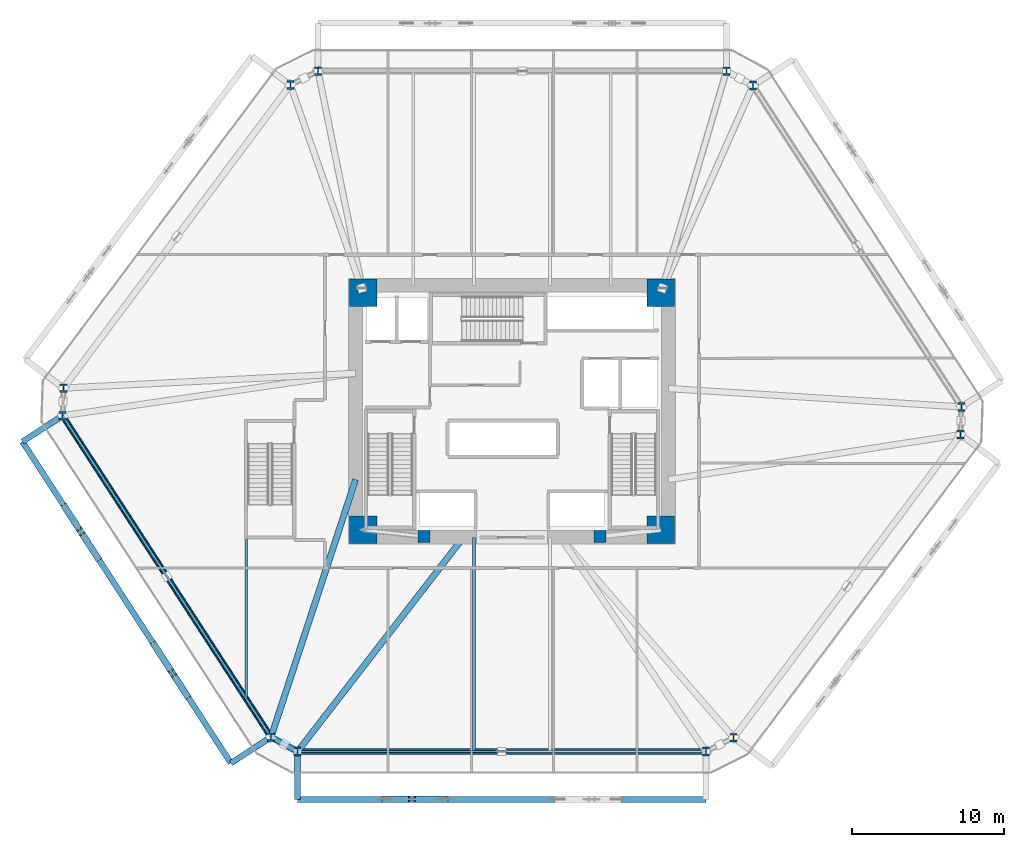
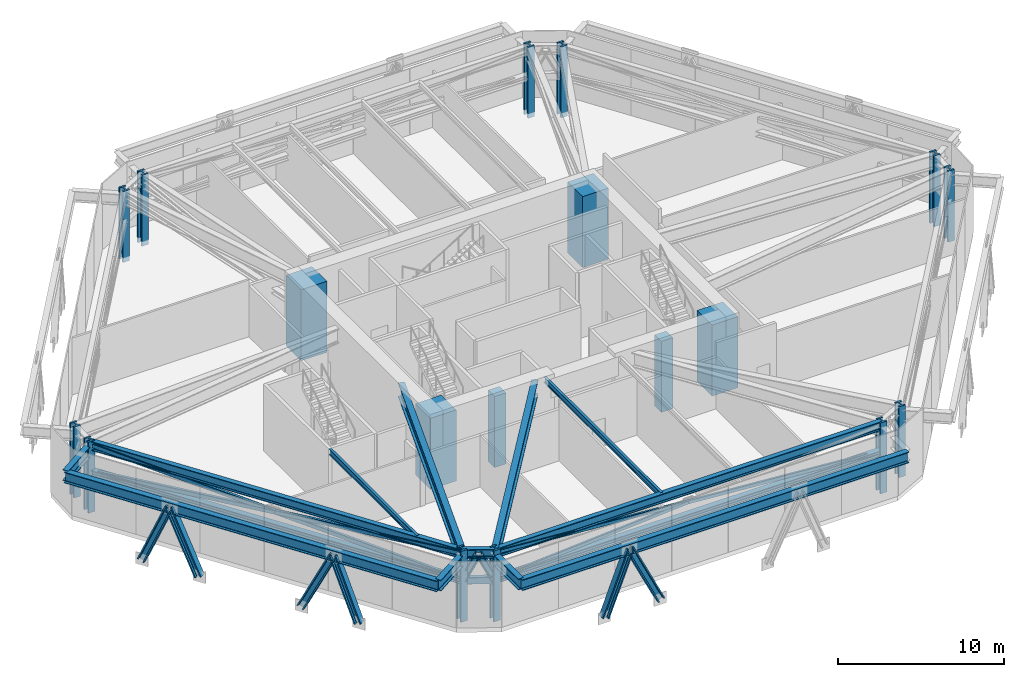
# One storey, part 1 of 16: 18 columns, 16 members, 12 beams.
"""IFC4 building model written with IfcOpenShell, lengths in metres."""

from ifc_helpers import new_model, si_unit, direction, frame, origin, origin_2d, place, context, subcontext, project, spatial, rectangle, hollow_rectangle, i_section, extrude, source, transform, mapped, material, material_profile, profile_set, type_object, type_shapes, element, save


model = new_model("IFC4")

# Units and contexts
model_context = context("Model", 3, precision=1e-05, world=origin(), true_north=direction((0.0, 1.0)))
body_context = subcontext(model_context, "Body", "Model", "MODEL_VIEW")
ifc_project = project(units=[si_unit("LENGTHUNIT", "METRE"), si_unit("AREAUNIT", "SQUARE_METRE"), si_unit("VOLUMEUNIT", "CUBIC_METRE"), si_unit("PLANEANGLEUNIT", "RADIAN"), si_unit("MASSUNIT", "GRAM", prefix="KILO")], contexts=[model_context])

# Site, building, storey
site_placement = place(None, origin())
site = spatial("IfcSite", under=ifc_project, at=site_placement, CompositionType="ELEMENT")
building_placement = place(site_placement, origin())
building = spatial("IfcBuilding", under=site, at=building_placement, Name="Durnholm Broadcast Tower", CompositionType="ELEMENT")
storey_placement = place(building_placement, frame((0.0, 0.0, 10.39990234375)))
storey = spatial("IfcBuildingStorey", under=building, at=storey_placement, Name="L02", CompositionType="ELEMENT", Elevation=10.39990234375)

# Columns
ifc_material_1 = material(Name="Concrete C70/85", Category="concrete")
ifc_material_profile_1 = material_profile(ifc_material_1, rectangle(XDim=1.800048828125, YDim=1.800048828125, at=origin_2d()), Name="RC1800X1800")
ifc_profile_set_1 = profile_set([ifc_material_profile_1], Name="Concrete C70/85")
column_type_1 = type_object("IfcColumnType", Name="COL-CC-1800", PredefinedType="COLUMN", material=ifc_profile_set_1)
shared_shape_1 = source(origin(), body_context, "Body", "SweptSolid", [
    extrude(rectangle(XDim=1.800048828125, YDim=1.800048828125, at=origin_2d()), origin(), (0.0, 0.0, 1.0), 5.22998046875),
])
type_shapes(column_type_1, [shared_shape_1])
for number, where, z_axis, x_axis, name in (
    (1, (-9.800048828125, -7.800048828125, -0.349853515625), (0.0, 0.0, 1.0), (1.0, 0.0, 0.0), "L02 core corner column 1"),
    (2, (9.800048828125, -7.800048828125, -0.349853515625), (0.0, 0.0, 1.0), (1.0, 0.0, 0.0), "L02 core corner column 2"),
    (3, (9.800048828125, 7.800048828125, -0.349853515625), (0.0, 0.0, 1.0), (1.0, 0.0, 0.0), "L02 core corner column 3"),
    (4, (-9.800048828125, 7.800048828125, -0.349853515625), (0.0, 0.0, 1.0), (1.0, 0.0, 0.0), "L02 core corner column 4"),
):
    element("IfcColumn", number, at=place(storey_placement, frame(where, z_axis=z_axis, x_axis=x_axis)), inside=storey, type_object=column_type_1, Name=name, PredefinedType="COLUMN", context=body_context, shape_type="MappedRepresentation", body=[
        mapped(shared_shape_1, transform((0.0, 0.0, 0.0), x_axis=(1.0, 0.0, 0.0), y_axis=(0.0, 1.0, 0.0), z_axis=(0.0, 0.0, 1.0), scale=1.0)),
    ])
ifc_material_profile_2 = material_profile(ifc_material_1, rectangle(XDim=0.800048828125, YDim=0.800048828125, at=origin_2d()), Name="RC800X800")
ifc_profile_set_2 = profile_set([ifc_material_profile_2], Name="Concrete C70/85")
column_type_2 = type_object("IfcColumnType", Name="COL-CP-800", PredefinedType="PILASTER", material=ifc_profile_set_2)
shared_shape_2 = source(origin(), body_context, "Body", "SweptSolid", [
    extrude(rectangle(XDim=0.800048828125, YDim=0.800048828125, at=origin_2d()), origin(), (0.0, 0.0, 1.0), 5.22998046875),
])
type_shapes(column_type_2, [shared_shape_2])
for number, where, z_axis, x_axis, name in (
    (5, (-5.800048828125, -8.25, -0.349853515625), (0.0, 0.0, 1.0), (1.0, 0.0, 0.0), "L02 core hall structural pilaster 1"),
    (6, (5.800048828125, -8.25, -0.349853515625), (0.0, 0.0, 1.0), (1.0, 0.0, 0.0), "L02 core hall structural pilaster 2"),
):
    element("IfcColumn", number, at=place(storey_placement, frame(where, z_axis=z_axis, x_axis=x_axis)), inside=storey, type_object=column_type_2, Name=name, PredefinedType="PILASTER", context=body_context, shape_type="MappedRepresentation", body=[
        mapped(shared_shape_2, transform((0.0, 0.0, 0.0), x_axis=(1.0, 0.0, 0.0), y_axis=(0.0, 1.0, 0.0), z_axis=(0.0, 0.0, 1.0), scale=1.0)),
    ])
ifc_material_2 = material(Name="Steel ASTM A913 Grade 65", Category="steel")
ifc_material_profile_3 = material_profile(ifc_material_2, i_section(OverallWidth=0.454345703125, OverallDepth=0.569091796875, WebThickness=0.077880859375, FlangeThickness=0.124755859375, FilletRadius=0.030517578125, at=origin_2d()), Name="W14X730")
ifc_profile_set_3 = profile_set([ifc_material_profile_3], Name="Steel ASTM A913 Grade 65")
column_type_3 = type_object("IfcColumnType", Name="STL-SC-W14X730", PredefinedType="COLUMN", material=ifc_profile_set_3)
shared_shape_3 = source(origin(), body_context, "Body", "SweptSolid", [
    extrude(i_section(OverallWidth=0.454345703125, OverallDepth=0.569091796875, WebThickness=0.077880859375, FlangeThickness=0.124755859375, FilletRadius=0.030517578125, at=origin_2d()), origin(), (0.0, 0.0, 1.0), 5.22998046875),
])
type_shapes(column_type_3, [shared_shape_3])
for number, where, z_axis, x_axis, name in (
    (7, (-15.866455078125, -21.45068359375, -0.349853515625), (0.0, 0.0, 1.0), (1.0, 0.0, 0.0), "L02 perimeter hexagonal tube column 01"),
    (8, (-29.590576171875, -0.28857421875, -0.349853515625), (0.0, 0.0, 1.0), (1.0, 0.0, 0.0), "L02 perimeter hexagonal tube column 02"),
    (9, (-29.529296875, 1.530517578125, -0.349853515625), (0.0, 0.0, 1.0), (1.0, 0.0, 0.0), "L02 perimeter hexagonal tube column 03"),
    (10, (-14.594482421875, 21.487548828125, -0.349853515625), (0.0, 0.0, 1.0), (1.0, 0.0, 0.0), "L02 perimeter hexagonal tube column 04"),
    (11, (-12.77197265625, 22.39990234375, -0.349853515625), (0.0, 0.0, 1.0), (1.0, 0.0, 0.0), "L02 perimeter hexagonal tube column 05"),
    (12, (14.119384765625, 22.39990234375, -0.349853515625), (0.0, 0.0, 1.0), (1.0, 0.0, 0.0), "L02 perimeter hexagonal tube column 06"),
    (13, (15.866455078125, 21.45068359375, -0.349853515625), (0.0, 0.0, 1.0), (1.0, 0.0, 0.0), "L02 perimeter hexagonal tube column 07"),
    (14, (29.590576171875, 0.28857421875, -0.349853515625), (0.0, 0.0, 1.0), (1.0, 0.0, 0.0), "L02 perimeter hexagonal tube column 08"),
    (15, (29.529296875, -1.530517578125, -0.349853515625), (0.0, 0.0, 1.0), (1.0, 0.0, 0.0), "L02 perimeter hexagonal tube column 09"),
    (16, (14.594482421875, -21.487548828125, -0.349853515625), (0.0, 0.0, 1.0), (1.0, 0.0, 0.0), "L02 perimeter hexagonal tube column 10"),
    (17, (12.77197265625, -22.39990234375, -0.349853515625), (0.0, 0.0, 1.0), (1.0, 0.0, 0.0), "L02 perimeter hexagonal tube column 11"),
    (18, (-14.119384765625, -22.39990234375, -0.349853515625), (0.0, 0.0, 1.0), (1.0, 0.0, 0.0), "L02 perimeter hexagonal tube column 12"),
):
    element("IfcColumn", number, at=place(storey_placement, frame(where, z_axis=z_axis, x_axis=x_axis)), inside=storey, type_object=column_type_3, Name=name, PredefinedType="COLUMN", context=body_context, shape_type="MappedRepresentation", body=[
        mapped(shared_shape_3, transform((0.0, 0.0, 0.0), x_axis=(1.0, 0.0, 0.0), y_axis=(0.0, 1.0, 0.0), z_axis=(0.0, 0.0, 1.0), scale=1.0)),
    ])

# Beams
ifc_material_3 = material(Name="Steel ASTM A992 Grade 50", Category="steel")
ifc_material_profile_4 = material_profile(ifc_material_3, i_section(OverallWidth=0.3330078125, OverallDepth=0.660888671875, WebThickness=0.0244140625, FlangeThickness=0.0439453125, FilletRadius=0.02783203125, at=origin_2d()), Name="W24X229")
ifc_profile_set_4 = profile_set([ifc_material_profile_4], Name="Steel ASTM A992 Grade 50")
beam_type_1 = type_object("IfcBeamType", Name="STL-SP-W24X229", PredefinedType="SPANDREL", material=ifc_profile_set_4)
shared_shape_4 = source(origin(), body_context, "Body", "SweptSolid", [
    extrude(i_section(OverallWidth=0.3330078125, OverallDepth=0.660888671875, WebThickness=0.0244140625, FlangeThickness=0.0439453125, FilletRadius=0.02783203125, at=origin_2d()), origin(), (0.0, 0.0, 1.0), 25.22265625),
])
beam_1_placement = place(storey_placement, frame((-15.866455078125, -21.45068359375, 4.53466796875), z_axis=(-0.544117081794, 0.839009297505, 0.0), x_axis=(-0.839009297505, -0.544117081794, 0.0)))
element("IfcBeam", 19, at=beam_1_placement, inside=storey, type_object=beam_type_1, Name="L02 perimeter spandrel girder 01", PredefinedType="SPANDREL", context=body_context, shape_type="MappedRepresentation", body=[
    mapped(shared_shape_4, transform((0.0, 0.0, 0.0), x_axis=(1.0, 0.0, 0.0), y_axis=(0.0, 1.0, 0.0), z_axis=(0.0, 0.0, 1.0), scale=1.0)),
])
shared_shape_5 = source(origin(), body_context, "Body", "SweptSolid", [
    extrude(i_section(OverallWidth=0.3330078125, OverallDepth=0.660888671875, WebThickness=0.0244140625, FlangeThickness=0.0439453125, FilletRadius=0.02783203125, at=origin_2d()), origin(), (0.0, 0.0, 1.0), 26.891357421875),
])
beam_2_placement = place(storey_placement, frame((12.77197265625, -22.39990234375, 4.53466796875), z_axis=(-1.0, 0.0, 0.0), x_axis=(0.0, -1.0, 0.0)))
element("IfcBeam", 20, at=beam_2_placement, inside=storey, type_object=beam_type_1, Name="L02 perimeter spandrel girder 11", PredefinedType="SPANDREL", context=body_context, shape_type="MappedRepresentation", body=[
    mapped(shared_shape_5, transform((0.0, 0.0, 0.0), x_axis=(1.0, 0.0, 0.0), y_axis=(0.0, 1.0, 0.0), z_axis=(0.0, 0.0, 1.0), scale=1.0)),
])
shared_shape_6 = source(origin(), body_context, "Body", "SweptSolid", [
    extrude(i_section(OverallWidth=0.3330078125, OverallDepth=0.660888671875, WebThickness=0.0244140625, FlangeThickness=0.0439453125, FilletRadius=0.02783203125, at=origin_2d()), origin(), (0.0, 0.0, 1.0), 1.98828125),
])
type_shapes(beam_type_1, [shared_shape_4, shared_shape_5, shared_shape_6])
beam_3_placement = place(storey_placement, frame((-14.119384765625, -22.39990234375, 4.53466796875), z_axis=(-0.878682739647, 0.477406161508, 0.0), x_axis=(-0.477406161508, -0.878682739647, 0.0)))
element("IfcBeam", 21, at=beam_3_placement, inside=storey, type_object=beam_type_1, Name="L02 perimeter spandrel girder 12", PredefinedType="SPANDREL", context=body_context, shape_type="MappedRepresentation", body=[
    mapped(shared_shape_6, transform((0.0, 0.0, 0.0), x_axis=(1.0, 0.0, 0.0), y_axis=(0.0, 1.0, 0.0), z_axis=(0.0, 0.0, 1.0), scale=1.0)),
])
ifc_material_profile_5 = material_profile(ifc_material_3, i_section(OverallWidth=0.412109375, OverallDepth=1.048095703125, WebThickness=0.033935546875, FlangeThickness=0.059814453125, FilletRadius=0.04052734375, at=origin_2d()), Name="W40X431")
ifc_profile_set_5 = profile_set([ifc_material_profile_5], Name="Steel ASTM A992 Grade 50")
beam_type_2 = type_object("IfcBeamType", Name="STL-TG-W40X431", PredefinedType="USERDEFINED", material=ifc_profile_set_5)
shared_shape_7 = source(origin(), body_context, "Body", "SweptSolid", [
    extrude(i_section(OverallWidth=0.412109375, OverallDepth=1.048095703125, WebThickness=0.033935546875, FlangeThickness=0.059814453125, FilletRadius=0.04052734375, at=origin_2d()), origin(), (0.0, 0.0, 1.0), 17.833740234375),
])
beam_4_placement = place(storey_placement, frame((-3.199951171875, -8.300048828125, 4.341064453125), z_axis=(-0.612293019064, -0.790630924519, 0.0), x_axis=(0.790630924519, -0.612293019064, 0.0)))
element("IfcBeam", 22, at=beam_4_placement, inside=storey, type_object=beam_type_2, Name="L02 radial primary floor girder 12", ObjectType="GIRDER", PredefinedType="USERDEFINED", context=body_context, shape_type="MappedRepresentation", body=[
    mapped(shared_shape_7, transform((0.0, 0.0, 0.0), x_axis=(1.0, 0.0, 0.0), y_axis=(0.0, 1.0, 0.0), z_axis=(0.0, 0.0, 1.0), scale=1.0)),
])
shared_shape_8 = source(origin(), body_context, "Body", "SweptSolid", [
    extrude(i_section(OverallWidth=0.412109375, OverallDepth=1.048095703125, WebThickness=0.033935546875, FlangeThickness=0.059814453125, FilletRadius=0.04052734375, at=origin_2d()), origin(), (0.0, 0.0, 1.0), 17.84130859375),
])
type_shapes(beam_type_2, [shared_shape_7, shared_shape_8])
beam_5_placement = place(storey_placement, frame((-10.300048828125, -4.5, 4.341064453125), z_axis=(-0.311996254667, -0.950083331647, 0.0), x_axis=(0.950083331647, -0.311996254667, 0.0)))
element("IfcBeam", 23, at=beam_5_placement, inside=storey, type_object=beam_type_2, Name="L02 radial primary floor girder 01", ObjectType="GIRDER", PredefinedType="USERDEFINED", context=body_context, shape_type="MappedRepresentation", body=[
    mapped(shared_shape_8, transform((0.0, 0.0, 0.0), x_axis=(1.0, 0.0, 0.0), y_axis=(0.0, 1.0, 0.0), z_axis=(0.0, 0.0, 1.0), scale=1.0)),
])
ifc_material_profile_6 = material_profile(ifc_material_3, i_section(OverallWidth=0.180908203125, OverallDepth=0.417236328125, WebThickness=0.010986328125, FlangeThickness=0.018310546875, FilletRadius=0.01904296875, at=origin_2d()), Name="W16X57")
ifc_profile_set_6 = profile_set([ifc_material_profile_6], Name="Steel ASTM A992 Grade 50")
beam_type_3 = type_object("IfcBeamType", Name="STL-BJ-W16X57", PredefinedType="JOIST", material=ifc_profile_set_6)
shared_shape_9 = source(origin(), body_context, "Body", "SweptSolid", [
    extrude(i_section(OverallWidth=0.180908203125, OverallDepth=0.417236328125, WebThickness=0.010986328125, FlangeThickness=0.018310546875, FilletRadius=0.01904296875, at=origin_2d()), origin(), (0.0, 0.0, 1.0), 10.581787109375),
])
beam_6_placement = place(storey_placement, frame((-17.5, -18.931884765625, 4.656494140625), z_axis=(0.0, 1.0, 0.0), x_axis=(-1.0, 0.0, 0.0)))
element("IfcBeam", 24, at=beam_6_placement, inside=storey, type_object=beam_type_3, Name="L02 secondary floor joist 2.1", PredefinedType="JOIST", context=body_context, shape_type="MappedRepresentation", body=[
    mapped(shared_shape_9, transform((0.0, 0.0, 0.0), x_axis=(1.0, 0.0, 0.0), y_axis=(0.0, 1.0, 0.0), z_axis=(0.0, 0.0, 1.0), scale=1.0)),
])
shared_shape_10 = source(origin(), body_context, "Body", "SweptSolid", [
    extrude(i_section(OverallWidth=0.180908203125, OverallDepth=0.417236328125, WebThickness=0.010986328125, FlangeThickness=0.018310546875, FilletRadius=0.01904296875, at=origin_2d()), origin(), (0.0, 0.0, 1.0), 14.099853515625),
])
type_shapes(beam_type_3, [shared_shape_9, shared_shape_10])
beam_7_placement = place(storey_placement, frame((-2.5, -22.39990234375, 4.656494140625), z_axis=(0.0, 1.0, 0.0), x_axis=(-1.0, 0.0, 0.0)))
element("IfcBeam", 25, at=beam_7_placement, inside=storey, type_object=beam_type_3, Name="L02 secondary floor joist 5.1", PredefinedType="JOIST", context=body_context, shape_type="MappedRepresentation", body=[
    mapped(shared_shape_10, transform((0.0, 0.0, 0.0), x_axis=(1.0, 0.0, 0.0), y_axis=(0.0, 1.0, 0.0), z_axis=(0.0, 0.0, 1.0), scale=1.0)),
])

# Members
ifc_material_profile_7 = material_profile(ifc_material_3, i_section(OverallWidth=0.4013671875, OverallDepth=0.3994140625, WebThickness=0.02490234375, FlangeThickness=0.03955078125, FilletRadius=0.030517578125, at=origin_2d()), Name="W14X211")
ifc_profile_set_7 = profile_set([ifc_material_profile_7], Name="Steel ASTM A992 Grade 50")
member_type_1 = type_object("IfcMemberType", Name="STL-TC-W14X211", PredefinedType="CHORD", material=ifc_profile_set_7)
shared_shape_11 = source(origin(), body_context, "Body", "SweptSolid", [
    extrude(i_section(OverallWidth=0.4013671875, OverallDepth=0.3994140625, WebThickness=0.02490234375, FlangeThickness=0.03955078125, FilletRadius=0.030517578125, at=origin_2d()), origin(), (0.0, 0.0, 1.0), 25.22265625),
])
member_1_placement = place(storey_placement, frame((-15.866455078125, -21.45068359375, 2.550048828125), z_axis=(-0.544117081794, 0.839009297505, 0.0), x_axis=(-0.839009297505, -0.544117081794, 0.0)))
element("IfcMember", 26, at=member_1_placement, inside=storey, type_object=member_type_1, Name="L02 perimeter belt-truss bottom chord 01", PredefinedType="CHORD", context=body_context, shape_type="MappedRepresentation", body=[
    mapped(shared_shape_11, transform((0.0, 0.0, 0.0), x_axis=(1.0, 0.0, 0.0), y_axis=(0.0, 1.0, 0.0), z_axis=(0.0, 0.0, 1.0), scale=1.0)),
])
ifc_material_4 = material(Name="Steel ASTM A500 Grade C", Category="steel")
ifc_material_profile_8 = material_profile(ifc_material_4, hollow_rectangle(XDim=0.203125, YDim=0.3046875, WallThickness=0.01171875, InnerFilletRadius=0.017578125, OuterFilletRadius=0.029541015625, at=origin_2d()), Name="HSS12X8X1/2")
ifc_profile_set_8 = profile_set([ifc_material_profile_8], Name="Steel ASTM A500 Grade C")
member_type_2 = type_object("IfcMemberType", Name="STL-TB-HSS12X8", PredefinedType="BRACE", material=ifc_profile_set_8)
shared_shape_12 = source(origin(), body_context, "Body", "SweptSolid", [
    extrude(hollow_rectangle(XDim=0.203125, YDim=0.3046875, WallThickness=0.01171875, InnerFilletRadius=0.017578125, OuterFilletRadius=0.029541015625, at=origin_2d()), origin(), (0.0, 0.0, 1.0), 25.30029296875),
])
member_2_placement = place(storey_placement, frame((-15.866455078125, -21.45068359375, 2.550048828125), z_axis=(-0.542448304828, 0.836436102439, 0.078259076959), x_axis=(-0.839009297505, -0.544117081794, 0.0)))
element("IfcMember", 27, at=member_2_placement, inside=storey, type_object=member_type_2, Name="L02 belt-truss continuous X-diagonal brace 01", PredefinedType="BRACE", context=body_context, shape_type="MappedRepresentation", body=[
    mapped(shared_shape_12, transform((0.0, 0.0, 0.0), x_axis=(1.0, 0.0, 0.0), y_axis=(0.0, 1.0, 0.0), z_axis=(0.0, 0.0, 1.0), scale=1.0)),
])
shared_shape_13 = source(origin(), body_context, "Body", "SweptSolid", [
    extrude(hollow_rectangle(XDim=0.203125, YDim=0.3046875, WallThickness=0.01171875, InnerFilletRadius=0.017578125, OuterFilletRadius=0.029541015625, at=origin_2d()), origin(), (0.0, 0.0, 1.0), 12.650146484375),
])
type_shapes(member_type_2, [shared_shape_12, shared_shape_13])
for number, where, z_axis, x_axis, name in (
    (28, (-29.590576171875, -0.28857421875, 2.550048828125), (0.542448304828, -0.836436102439, 0.078259076959), (0.839009297505, 0.544117081794, 0.0), "L02 belt-truss split X-diagonal segment 01.1"),
    (29, (-22.728515625, -10.86962890625, 3.5400390625), (0.542448304828, -0.836436102439, 0.078259076959), (0.839009297505, 0.544117081794, 0.0), "L02 belt-truss split X-diagonal segment 01.2"),
):
    element("IfcMember", number, at=place(storey_placement, frame(where, z_axis=z_axis, x_axis=x_axis)), inside=storey, type_object=member_type_2, Name=name, PredefinedType="BRACE", context=body_context, shape_type="MappedRepresentation", body=[
        mapped(shared_shape_13, transform((0.0, 0.0, 0.0), x_axis=(1.0, 0.0, 0.0), y_axis=(0.0, 1.0, 0.0), z_axis=(0.0, 0.0, 1.0), scale=1.0)),
    ])
shared_shape_14 = source(origin(), body_context, "Body", "SweptSolid", [
    extrude(i_section(OverallWidth=0.4013671875, OverallDepth=0.3994140625, WebThickness=0.02490234375, FlangeThickness=0.03955078125, FilletRadius=0.030517578125, at=origin_2d()), origin(), (0.0, 0.0, 1.0), 26.891357421875),
])
type_shapes(member_type_1, [shared_shape_11, shared_shape_14])
member_3_placement = place(storey_placement, frame((12.77197265625, -22.39990234375, 2.550048828125), z_axis=(-1.0, 0.0, 0.0), x_axis=(0.0, -1.0, 0.0)))
element("IfcMember", 30, at=member_3_placement, inside=storey, type_object=member_type_1, Name="L02 perimeter belt-truss bottom chord 11", PredefinedType="CHORD", context=body_context, shape_type="MappedRepresentation", body=[
    mapped(shared_shape_14, transform((0.0, 0.0, 0.0), x_axis=(1.0, 0.0, 0.0), y_axis=(0.0, 1.0, 0.0), z_axis=(0.0, 0.0, 1.0), scale=1.0)),
])
ifc_material_profile_9 = material_profile(ifc_material_4, hollow_rectangle(XDim=0.15234375, YDim=0.25390625, WallThickness=0.0087890625, InnerFilletRadius=0.013427734375, OuterFilletRadius=0.022216796875, at=origin_2d()), Name="HSS10X6X3/8")
ifc_profile_set_9 = profile_set([ifc_material_profile_9], Name="Steel ASTM A500 Grade C")
member_type_3 = type_object("IfcMemberType", Name="STL-TB-HSS10X6", PredefinedType="BRACE", material=ifc_profile_set_9)
shared_shape_15 = source(origin(), body_context, "Body", "SweptSolid", [
    extrude(hollow_rectangle(XDim=0.15234375, YDim=0.25390625, WallThickness=0.0087890625, InnerFilletRadius=0.013427734375, OuterFilletRadius=0.022216796875, at=origin_2d()), origin(), (0.0, 0.0, 1.0), 26.964111328125),
])
member_4_placement = place(storey_placement, frame((12.77197265625, -22.39990234375, 2.550048828125), z_axis=(-0.9973003657, 0.0, 0.073430106729), x_axis=(0.0, -1.0, 0.0)))
element("IfcMember", 31, at=member_4_placement, inside=storey, type_object=member_type_3, Name="L02 belt-truss continuous X-diagonal brace 11", PredefinedType="BRACE", context=body_context, shape_type="MappedRepresentation", body=[
    mapped(shared_shape_15, transform((0.0, 0.0, 0.0), x_axis=(1.0, 0.0, 0.0), y_axis=(0.0, 1.0, 0.0), z_axis=(0.0, 0.0, 1.0), scale=1.0)),
])
shared_shape_16 = source(origin(), body_context, "Body", "SweptSolid", [
    extrude(hollow_rectangle(XDim=0.15234375, YDim=0.25390625, WallThickness=0.0087890625, InnerFilletRadius=0.013427734375, OuterFilletRadius=0.022216796875, at=origin_2d()), origin(), (0.0, 0.0, 1.0), 13.482177734375),
])
type_shapes(member_type_3, [shared_shape_15, shared_shape_16])
member_5_placement = place(storey_placement, frame((-14.119384765625, -22.39990234375, 2.550048828125), z_axis=(0.99730041452, 0.0, 0.073429443674), x_axis=(0.0, 1.0, 0.0)))
element("IfcMember", 32, at=member_5_placement, inside=storey, type_object=member_type_3, Name="L02 belt-truss split X-diagonal segment 11.1", PredefinedType="BRACE", context=body_context, shape_type="MappedRepresentation", body=[
    mapped(shared_shape_16, transform((0.0, 0.0, 0.0), x_axis=(1.0, 0.0, 0.0), y_axis=(0.0, 1.0, 0.0), z_axis=(0.0, 0.0, 1.0), scale=1.0)),
])
ifc_material_profile_10 = material_profile(ifc_material_4, hollow_rectangle(XDim=0.3046875, YDim=0.508056640625, WallThickness=0.014892578125, InnerFilletRadius=0.022216796875, OuterFilletRadius=0.037109375, at=origin_2d()), Name="HSS20X12X5/8")
ifc_profile_set_10 = profile_set([ifc_material_profile_10], Name="Steel ASTM A500 Grade C")
member_type_4 = type_object("IfcMemberType", Name="STL-TC-HSS20X12", PredefinedType="CHORD", material=ifc_profile_set_10)
shared_shape_17 = source(origin(), body_context, "Body", "SweptSolid", [
    extrude(hollow_rectangle(XDim=0.3046875, YDim=0.508056640625, WallThickness=0.014892578125, InnerFilletRadius=0.022216796875, OuterFilletRadius=0.037109375, at=origin_2d()), origin(), (0.0, 0.0, 1.0), 1.98828125),
])
type_shapes(member_type_4, [shared_shape_17])
member_6_placement = place(storey_placement, frame((-14.119384765625, -22.39990234375, 2.550048828125), z_axis=(-0.878682739647, 0.477406161508, 0.0), x_axis=(-0.477406161508, -0.878682739647, 0.0)))
element("IfcMember", 33, at=member_6_placement, inside=storey, type_object=member_type_4, Name="L02 perimeter belt-truss bottom chord 12", PredefinedType="CHORD", context=body_context, shape_type="MappedRepresentation", body=[
    mapped(shared_shape_17, transform((0.0, 0.0, 0.0), x_axis=(1.0, 0.0, 0.0), y_axis=(0.0, 1.0, 0.0), z_axis=(0.0, 0.0, 1.0), scale=1.0)),
])
ifc_material_profile_11 = material_profile(ifc_material_2, i_section(OverallWidth=0.412109375, OverallDepth=0.434814453125, WebThickness=0.035888671875, FlangeThickness=0.057373046875, FilletRadius=0.030517578125, at=origin_2d()), Name="W14X311")
ifc_profile_set_11 = profile_set([ifc_material_profile_11], Name="Steel ASTM A913 Grade 65")
member_type_5 = type_object("IfcMemberType", Name="STL-DG-W14X311", PredefinedType="BRACE", material=ifc_profile_set_11)
shared_shape_18 = source(origin(), body_context, "Body", "SweptSolid", [
    extrude(i_section(OverallWidth=0.412109375, OverallDepth=0.434814453125, WebThickness=0.035888671875, FlangeThickness=0.057373046875, FilletRadius=0.030517578125, at=origin_2d()), origin(), (0.0, 0.0, 1.0), 2.215576171875),
])
type_shapes(member_type_5, [shared_shape_18])
for number, where, z_axis, x_axis, name in (
    (34, (-14.119384765625, -22.39990234375, 2.550048828125), (-0.394275490055, 0.214217873859, 0.893676418208), (-0.477406161508, -0.878682739647, 0.0), "L02 belt-truss chevron brace 12.1"),
    (35, (-15.866455078125, -21.45068359375, 2.550048828125), (0.394275490055, -0.214217873859, 0.893676418208), (0.477406161508, 0.878682739647, 0.0), "L02 belt-truss chevron brace 12.2"),
):
    element("IfcMember", number, at=place(storey_placement, frame(where, z_axis=z_axis, x_axis=x_axis)), inside=storey, type_object=member_type_5, Name=name, PredefinedType="BRACE", context=body_context, shape_type="MappedRepresentation", body=[
        mapped(shared_shape_18, transform((0.0, 0.0, 0.0), x_axis=(1.0, 0.0, 0.0), y_axis=(0.0, 1.0, 0.0), z_axis=(0.0, 0.0, 1.0), scale=1.0)),
    ])

# Beams
ifc_material_profile_12 = material_profile(ifc_material_3, i_section(OverallWidth=0.385009765625, OverallDepth=0.802978515625, WebThickness=0.023681640625, FlangeThickness=0.0419921875, FilletRadius=0.032958984375, at=origin_2d()), Name="W30X261")
ifc_profile_set_12 = profile_set([ifc_material_profile_12], Name="Steel ASTM A992 Grade 50")
beam_type_4 = type_object("IfcBeamType", Name="BM-EXO-TIE", PredefinedType="USERDEFINED", material=ifc_profile_set_12)
shared_shape_19 = source(origin(), body_context, "Body", "SweptSolid", [
    extrude(i_section(OverallWidth=0.385009765625, OverallDepth=0.802978515625, WebThickness=0.023681640625, FlangeThickness=0.0419921875, FilletRadius=0.032958984375, at=origin_2d()), origin(), (0.0, 0.0, 1.0), 3.024169921875),
])
for number, where, z_axis, x_axis, name in (
    (36, (-14.119384765625, -22.52587890625, 4.128662109375), (0.0, -1.0, 0.0), (1.0, 0.0, 0.0), "L02 exoskeleton stand-off tie bracket F1.1"),
    (37, (-15.97216796875, -21.519287109375, 4.128662109375), (-0.839049936056, -0.544054413459, 0.0), (0.544054413459, -0.839049936056, 0.0), "L02 exoskeleton stand-off tie bracket F6.2"),
):
    element("IfcBeam", number, at=place(storey_placement, frame(where, z_axis=z_axis, x_axis=x_axis)), inside=storey, type_object=beam_type_4, Name=name, ObjectType="GIRDER", PredefinedType="USERDEFINED", context=body_context, shape_type="MappedRepresentation", body=[
        mapped(shared_shape_19, transform((0.0, 0.0, 0.0), x_axis=(1.0, 0.0, 0.0), y_axis=(0.0, 1.0, 0.0), z_axis=(0.0, 0.0, 1.0), scale=1.0)),
    ])
shared_shape_20 = source(origin(), body_context, "Body", "SweptSolid", [
    extrude(i_section(OverallWidth=0.385009765625, OverallDepth=0.802978515625, WebThickness=0.023681640625, FlangeThickness=0.0419921875, FilletRadius=0.032958984375, at=origin_2d()), origin(), (0.0, 0.0, 1.0), 26.891357421875),
])
beam_8_placement = place(storey_placement, frame((-14.119384765625, -25.550048828125, 4.128662109375), z_axis=(1.0, 0.0, 0.0), x_axis=(0.0, 1.0, 0.0)))
element("IfcBeam", 38, at=beam_8_placement, inside=storey, type_object=beam_type_4, Name="L02 exoskeleton collector spandrel F1", PredefinedType="SPANDREL", context=body_context, shape_type="MappedRepresentation", body=[
    mapped(shared_shape_20, transform((0.0, 0.0, 0.0), x_axis=(1.0, 0.0, 0.0), y_axis=(0.0, 1.0, 0.0), z_axis=(0.0, 0.0, 1.0), scale=1.0)),
])

# Members
ifc_material_profile_13 = material_profile(ifc_material_2, i_section(OverallWidth=0.43212890625, OverallDepth=0.497802734375, WebThickness=0.0556640625, FlangeThickness=0.0888671875, FilletRadius=0.030517578125, at=origin_2d()), Name="W14X500")
ifc_profile_set_13 = profile_set([ifc_material_profile_13], Name="Steel ASTM A913 Grade 65")
member_type_6 = type_object("IfcMemberType", Name="STL-DG-W14X500", PredefinedType="BRACE", material=ifc_profile_set_13)
shared_shape_21 = source(origin(), body_context, "Body", "SweptSolid", [
    extrude(i_section(OverallWidth=0.43212890625, OverallDepth=0.497802734375, WebThickness=0.0556640625, FlangeThickness=0.0888671875, FilletRadius=0.030517578125, at=origin_2d()), origin(), (0.0, 0.0, 1.0), 4.805908203125),
])
member_7_placement = place(storey_placement, frame((-8.3330078125, -25.550048828125, -0.349853515625), z_axis=(0.362720817248, 0.0, 0.931897853166), x_axis=(0.0, 1.0, 0.0)))
element("IfcMember", 39, at=member_7_placement, inside=storey, type_object=member_type_6, Name="L02 stand-off diagrid brace F1.D1.1", PredefinedType="BRACE", context=body_context, shape_type="MappedRepresentation", body=[
    mapped(shared_shape_21, transform((0.0, 0.0, 0.0), x_axis=(1.0, 0.0, 0.0), y_axis=(0.0, 1.0, 0.0), z_axis=(0.0, 0.0, 1.0), scale=1.0)),
])
shared_shape_22 = source(origin(), body_context, "Body", "SweptSolid", [
    extrude(i_section(OverallWidth=0.43212890625, OverallDepth=0.497802734375, WebThickness=0.0556640625, FlangeThickness=0.0888671875, FilletRadius=0.030517578125, at=origin_2d()), origin(), (0.0, 0.0, 1.0), 4.9658203125),
])
member_8_placement = place(storey_placement, frame((-4.444580078125, -25.550048828125, -0.349853515625), z_axis=(-0.432006889097, 0.0, 0.901870305406), x_axis=(0.0, -1.0, 0.0)))
element("IfcMember", 40, at=member_8_placement, inside=storey, type_object=member_type_6, Name="L02 stand-off diagrid brace F1.D1.2", PredefinedType="BRACE", context=body_context, shape_type="MappedRepresentation", body=[
    mapped(shared_shape_22, transform((0.0, 0.0, 0.0), x_axis=(1.0, 0.0, 0.0), y_axis=(0.0, 1.0, 0.0), z_axis=(0.0, 0.0, 1.0), scale=1.0)),
])

# Beams
shared_shape_23 = source(origin(), body_context, "Body", "SweptSolid", [
    extrude(i_section(OverallWidth=0.385009765625, OverallDepth=0.802978515625, WebThickness=0.023681640625, FlangeThickness=0.0419921875, FilletRadius=0.032958984375, at=origin_2d()), origin(), (0.0, 0.0, 1.0), 3.02392578125),
])
beam_9_placement = place(storey_placement, frame((-29.6962890625, -0.357177734375, 4.128662109375), z_axis=(-0.838989179675, -0.544148101521, 0.0), x_axis=(0.544148101521, -0.838989179675, 0.0)))
element("IfcBeam", 41, at=beam_9_placement, inside=storey, type_object=beam_type_4, Name="L02 exoskeleton stand-off tie bracket F6.1", ObjectType="GIRDER", PredefinedType="USERDEFINED", context=body_context, shape_type="MappedRepresentation", body=[
    mapped(shared_shape_23, transform((0.0, 0.0, 0.0), x_axis=(1.0, 0.0, 0.0), y_axis=(0.0, 1.0, 0.0), z_axis=(0.0, 0.0, 1.0), scale=1.0)),
])
shared_shape_24 = source(origin(), body_context, "Body", "SweptSolid", [
    extrude(i_section(OverallWidth=0.385009765625, OverallDepth=0.802978515625, WebThickness=0.023681640625, FlangeThickness=0.0419921875, FilletRadius=0.032958984375, at=origin_2d()), origin(), (0.0, 0.0, 1.0), 25.222412109375),
])
type_shapes(beam_type_4, [shared_shape_19, shared_shape_20, shared_shape_23, shared_shape_24])
beam_10_placement = place(storey_placement, frame((-32.2333984375, -2.002685546875, 4.128662109375), z_axis=(0.544114686912, -0.839010850637, 0.0), x_axis=(0.839010850637, 0.544114686912, 0.0)))
element("IfcBeam", 42, at=beam_10_placement, inside=storey, type_object=beam_type_4, Name="L02 exoskeleton collector spandrel F6", PredefinedType="SPANDREL", context=body_context, shape_type="MappedRepresentation", body=[
    mapped(shared_shape_24, transform((0.0, 0.0, 0.0), x_axis=(1.0, 0.0, 0.0), y_axis=(0.0, 1.0, 0.0), z_axis=(0.0, 0.0, 1.0), scale=1.0)),
])

# Members
shared_shape_25 = source(origin(), body_context, "Body", "SweptSolid", [
    extrude(i_section(OverallWidth=0.43212890625, OverallDepth=0.497802734375, WebThickness=0.0556640625, FlangeThickness=0.0888671875, FilletRadius=0.030517578125, at=origin_2d()), origin(), (0.0, 0.0, 1.0), 4.862060546875),
])
member_9_placement = place(storey_placement, frame((-29.42041015625, -6.340087890625, -0.349853515625), z_axis=(0.211803181058, -0.326592671789, 0.921127916865), x_axis=(0.839009036615, 0.544117484078, 0.0)))
element("IfcMember", 43, at=member_9_placement, inside=storey, type_object=member_type_6, Name="L02 stand-off diagrid brace F6.D1.1", PredefinedType="BRACE", context=body_context, shape_type="MappedRepresentation", body=[
    mapped(shared_shape_25, transform((0.0, 0.0, 0.0), x_axis=(1.0, 0.0, 0.0), y_axis=(0.0, 1.0, 0.0), z_axis=(0.0, 0.0, 1.0), scale=1.0)),
])
shared_shape_26 = source(origin(), body_context, "Body", "SweptSolid", [
    extrude(i_section(OverallWidth=0.43212890625, OverallDepth=0.497802734375, WebThickness=0.0556640625, FlangeThickness=0.0888671875, FilletRadius=0.030517578125, at=origin_2d()), origin(), (0.0, 0.0, 1.0), 4.903076171875),
])
member_10_placement = place(storey_placement, frame((-27.3046875, -9.6025390625, -0.349853515625), z_axis=(-0.221479198282, 0.34153008566, 0.913402520972), x_axis=(-0.839021657817, -0.544098022156, 0.0)))
element("IfcMember", 44, at=member_10_placement, inside=storey, type_object=member_type_6, Name="L02 stand-off diagrid brace F6.D1.2", PredefinedType="BRACE", context=body_context, shape_type="MappedRepresentation", body=[
    mapped(shared_shape_26, transform((0.0, 0.0, 0.0), x_axis=(1.0, 0.0, 0.0), y_axis=(0.0, 1.0, 0.0), z_axis=(0.0, 0.0, 1.0), scale=1.0)),
])
shared_shape_27 = source(origin(), body_context, "Body", "SweptSolid", [
    extrude(i_section(OverallWidth=0.43212890625, OverallDepth=0.497802734375, WebThickness=0.0556640625, FlangeThickness=0.0888671875, FilletRadius=0.030517578125, at=origin_2d()), origin(), (0.0, 0.0, 1.0), 4.983154296875),
])
member_11_placement = place(storey_placement, frame((-23.541015625, -15.40576171875, -0.349853515625), z_axis=(0.238593852699, -0.367934257448, 0.898719842693), x_axis=(0.839030208873, 0.544084835847, 0.0)))
element("IfcMember", 45, at=member_11_placement, inside=storey, type_object=member_type_6, Name="L02 stand-off diagrid brace F6.D2.1", PredefinedType="BRACE", context=body_context, shape_type="MappedRepresentation", body=[
    mapped(shared_shape_27, transform((0.0, 0.0, 0.0), x_axis=(1.0, 0.0, 0.0), y_axis=(0.0, 1.0, 0.0), z_axis=(0.0, 0.0, 1.0), scale=1.0)),
])
shared_shape_28 = source(origin(), body_context, "Body", "SweptSolid", [
    extrude(i_section(OverallWidth=0.43212890625, OverallDepth=0.497802734375, WebThickness=0.0556640625, FlangeThickness=0.0888671875, FilletRadius=0.030517578125, at=origin_2d()), origin(), (0.0, 0.0, 1.0), 4.79150390625),
])
type_shapes(member_type_6, [shared_shape_21, shared_shape_22, shared_shape_25, shared_shape_26, shared_shape_27, shared_shape_28])
member_12_placement = place(storey_placement, frame((-21.42529296875, -18.668212890625, -0.349853515625), z_axis=(-0.193419485829, 0.298230835237, 0.934691003175), x_axis=(-0.838996660816, -0.544136566625, 0.0)))
element("IfcMember", 46, at=member_12_placement, inside=storey, type_object=member_type_6, Name="L02 stand-off diagrid brace F6.D2.2", PredefinedType="BRACE", context=body_context, shape_type="MappedRepresentation", body=[
    mapped(shared_shape_28, transform((0.0, 0.0, 0.0), x_axis=(1.0, 0.0, 0.0), y_axis=(0.0, 1.0, 0.0), z_axis=(0.0, 0.0, 1.0), scale=1.0)),
])

save(model, "model.ifc")
